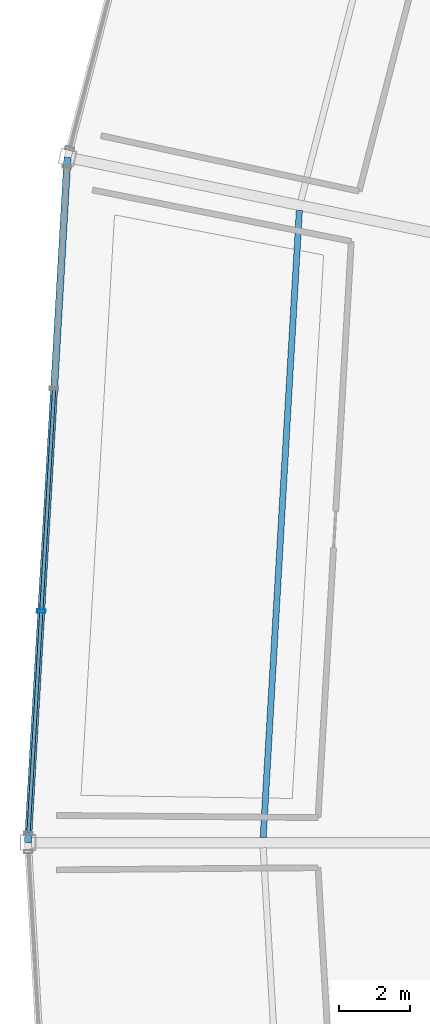
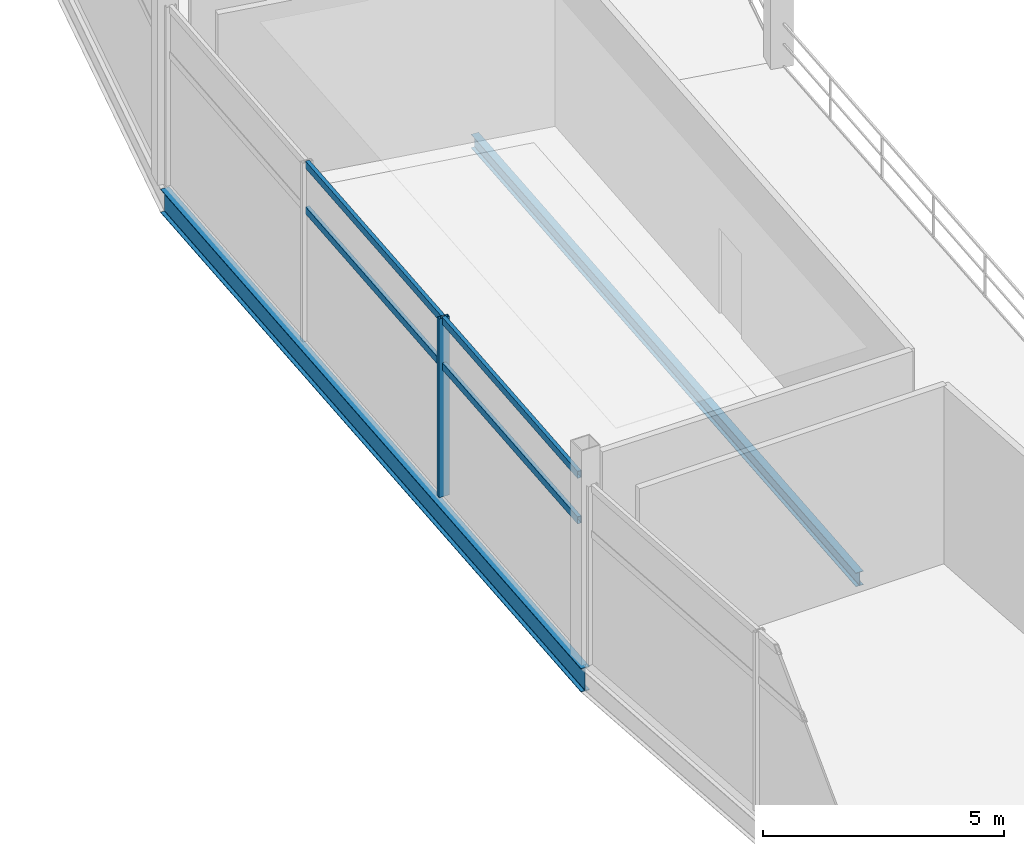
# One storey, part 37 of 103: 5 members, 2 beams, 1 element without a shape of its own.
"""IFC4 building model written with IfcOpenShell, lengths in metres."""

from ifc_helpers import new_model, si_unit, direction, frame, origin, origin_2d, place, context, subcontext, project, spatial, hollow_rectangle, i_section, extrude, material, layer, layer_set, material_profile, profile_set, type_object, element, aggregate, save


model = new_model("IFC4")

# Units and contexts
model_context = context("Model", 3, precision=1e-05, world=origin(), true_north=direction((0.0, 1.0)))
body_context = subcontext(model_context, "Body", "Model", "MODEL_VIEW")
ifc_project = project(units=[si_unit("LENGTHUNIT", "METRE"), si_unit("AREAUNIT", "SQUARE_METRE"), si_unit("VOLUMEUNIT", "CUBIC_METRE"), si_unit("PLANEANGLEUNIT", "RADIAN"), si_unit("MASSUNIT", "GRAM", prefix="KILO")], contexts=[model_context])

# Site, building, storey
site_placement = place(None, origin())
site = spatial("IfcSite", under=ifc_project, at=site_placement, CompositionType="ELEMENT")
building_placement = place(site_placement, origin())
building = spatial("IfcBuilding", under=site, at=building_placement, Name="Kazemori Nagisa Stadium", CompositionType="ELEMENT")
storey_placement = place(building_placement, frame((0.0, 0.0, 25.840087890625)))
storey = spatial("IfcBuildingStorey", under=building, at=storey_placement, Name="L05", CompositionType="ELEMENT", Elevation=25.840087890625)

# Beams
ifc_material_1 = material(Name="Steel SN490B", Category="steel")
ifc_material_profile_1 = material_profile(ifc_material_1, i_section(OverallWidth=0.175048828125, OverallDepth=0.35009765625, WebThickness=0.007080078125, FlangeThickness=0.010986328125, FilletRadius=0.012939453125, at=origin_2d()), Name="H-350x175x7x11")
ifc_profile_set_1 = profile_set([ifc_material_profile_1], Name="Steel SN490B")
beam_type_1 = type_object("IfcBeamType", Name="Beam_BJ-H350", PredefinedType="JOIST", material=ifc_profile_set_1)
beam_1_placement = place(storey_placement, frame((35.6826171875, 119.89501953125, -0.43505859375), z_axis=(-0.057603114818, -0.998339562055, 0.0), x_axis=(0.998339562055, -0.057603114818, 0.0)))
element("IfcBeam", 1, at=beam_1_placement, inside=storey, type_object=beam_type_1, Name="Outer bay joist BJ-H350 L05 B14", PredefinedType="JOIST", context=body_context, shape_type="SweptSolid", body=[
    extrude(i_section(OverallWidth=0.175048828125, OverallDepth=0.35009765625, WebThickness=0.007080078125, FlangeThickness=0.010986328125, FilletRadius=0.012939453125, at=origin_2d()), origin(), (0.0, 0.0, 1.0), 17.77978515625),
])
ifc_material_profile_2 = material_profile(ifc_material_1, i_section(OverallWidth=0.199951171875, OverallDepth=0.60009765625, WebThickness=0.010986328125, FlangeThickness=0.01708984375, FilletRadius=0.012939453125, at=origin_2d()), Name="H-600x200x11x17")
ifc_profile_set_2 = profile_set([ifc_material_profile_2], Name="Steel SN490B")
beam_type_2 = type_object("IfcBeamType", Name="Beam_BS-H600", PredefinedType="SPANDREL", material=ifc_profile_set_2)
beam_2_placement = place(storey_placement, frame((29.119140625, 121.397705078125, -0.56005859375), z_axis=(-0.057598702622, -0.998339816624, 0.0), x_axis=(0.998339816624, -0.057598702622, 0.0)))
element("IfcBeam", 2, at=beam_2_placement, inside=storey, type_object=beam_type_2, Name="Ring girder BS-H600 L05 R3-14", PredefinedType="SPANDREL", context=body_context, shape_type="SweptSolid", body=[
    extrude(i_section(OverallWidth=0.199951171875, OverallDepth=0.60009765625, WebThickness=0.010986328125, FlangeThickness=0.01708984375, FilletRadius=0.012939453125, at=origin_2d()), origin(), (0.0, 0.0, 1.0), 19.429931640625),
])

# Curtain wall, members
ifc_material_2 = material(Name="Anodised aluminium 6063-T5", Category="aluminium")
ifc_layer = layer(ifc_material_2, 0.239990234375, Name="Anodised aluminium 6063-T5", Category="aluminium")
ifc_layer_set = layer_set([ifc_layer], Name="Anodised aluminium 6063-T5")
curtain_wall_type = type_object("IfcCurtainWallType", Name="CW_L05R3_95", PredefinedType="USERDEFINED", material=ifc_layer_set)
curtain_wall_placement = place(storey_placement, origin())
curtain_wall = element("IfcCurtainWall", 3, at=curtain_wall_placement, inside=storey, type_object=curtain_wall_type, Name="Unitised curtain wall CW-L05R3-95 L05", ObjectType="UNITISED CURTAIN WALL", PredefinedType="USERDEFINED")
ifc_material_3 = material(Name="Aluminium 6063-T5 anodised", Category="aluminium")
ifc_material_profile_3 = material_profile(ifc_material_3, hollow_rectangle(XDim=0.090087890625, YDim=0.239990234375, WallThickness=0.0048828125, at=origin_2d()), Name="ALU-MULL-90x240x5")
ifc_profile_set_3 = profile_set([ifc_material_profile_3], Name="Aluminium 6063-T5 anodised")
member_type_1 = type_object("IfcMemberType", Name="Mullion_M03", PredefinedType="MULLION", material=ifc_profile_set_3)
member_1_placement = place(storey_placement, frame((28.3779296875, 108.55078125, 0.0), z_axis=(0.0, 0.0, 1.0), x_axis=(-0.057601670941, -0.998339645364, 0.0)))
member_1 = element("IfcMember", 4, at=member_1_placement, type_object=member_type_1, Name="Curtain wall mullion CW-L05R3-95-M3", PredefinedType="MULLION", context=body_context, shape_type="SweptSolid", body=[
    extrude(hollow_rectangle(XDim=0.090087890625, YDim=0.239990234375, WallThickness=0.0048828125, at=origin_2d()), origin(), (0.0, 0.0, 1.0), 4.530029296875),
])
ifc_material_profile_4 = material_profile(ifc_material_3, hollow_rectangle(XDim=0.090087890625, YDim=0.179931640625, WallThickness=0.0048828125, at=origin_2d()), Name="ALU-TRAN-90x180x5")
ifc_profile_set_4 = profile_set([ifc_material_profile_4], Name="Aluminium 6063-T5 anodised")
member_type_2 = type_object("IfcMemberType", Name="Transom_T03", PredefinedType="USERDEFINED", material=ifc_profile_set_4)
member_2_placement = place(storey_placement, frame((28.739990234375, 114.826904296875, 3.306884765625), z_axis=(-0.057582347061, -0.998340760115, 0.0), x_axis=(0.998340760115, -0.057582347061, 0.0)))
member_2 = element("IfcMember", 5, at=member_2_placement, type_object=member_type_2, Name="Curtain wall transom CW-L05R3-95-T2-mid", ObjectType="TRANSOM", PredefinedType="USERDEFINED", context=body_context, shape_type="SweptSolid", body=[
    extrude(hollow_rectangle(XDim=0.090087890625, YDim=0.179931640625, WallThickness=0.0048828125, at=origin_2d()), origin(), (0.0, 0.0, 1.0), 6.2666015625),
])
member_3_placement = place(storey_placement, frame((28.739990234375, 114.826904296875, 4.4599609375), z_axis=(-0.057582347061, -0.998340760115, 0.0), x_axis=(0.998340760115, -0.057582347061, 0.0)))
member_3 = element("IfcMember", 6, at=member_3_placement, type_object=member_type_2, Name="Curtain wall transom CW-L05R3-95-T2-head", ObjectType="TRANSOM", PredefinedType="USERDEFINED", context=body_context, shape_type="SweptSolid", body=[
    extrude(hollow_rectangle(XDim=0.090087890625, YDim=0.179931640625, WallThickness=0.0048828125, at=origin_2d()), origin(), (0.0, 0.0, 1.0), 6.2666015625),
])
member_4_placement = place(storey_placement, frame((28.376708984375, 108.53076171875, 3.306884765625), z_axis=(-0.057582347061, -0.998340760115, 0.0), x_axis=(0.998340760115, -0.057582347061, 0.0)))
member_4 = element("IfcMember", 7, at=member_4_placement, type_object=member_type_2, Name="Curtain wall transom CW-L05R3-95-T3-mid", ObjectType="TRANSOM", PredefinedType="USERDEFINED", context=body_context, shape_type="SweptSolid", body=[
    extrude(hollow_rectangle(XDim=0.090087890625, YDim=0.179931640625, WallThickness=0.0048828125, at=origin_2d()), origin(), (0.0, 0.0, 1.0), 6.2666015625),
])
member_5_placement = place(storey_placement, frame((28.376708984375, 108.53076171875, 4.4599609375), z_axis=(-0.057582347061, -0.998340760115, 0.0), x_axis=(0.998340760115, -0.057582347061, 0.0)))
member_5 = element("IfcMember", 8, at=member_5_placement, type_object=member_type_2, Name="Curtain wall transom CW-L05R3-95-T3-head", ObjectType="TRANSOM", PredefinedType="USERDEFINED", context=body_context, shape_type="SweptSolid", body=[
    extrude(hollow_rectangle(XDim=0.090087890625, YDim=0.179931640625, WallThickness=0.0048828125, at=origin_2d()), origin(), (0.0, 0.0, 1.0), 6.2666015625),
])
aggregate(curtain_wall, [member_1, member_2, member_3, member_4, member_5])

save(model, "model.ifc")
